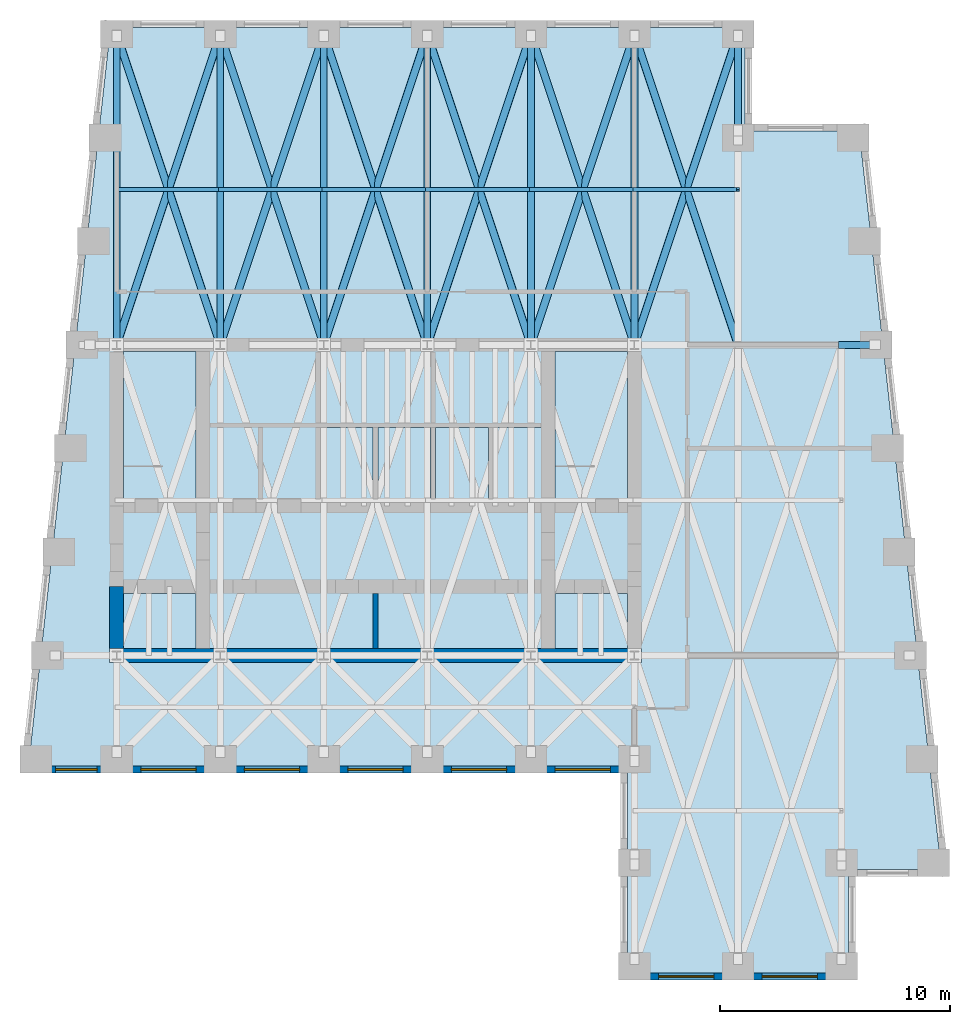
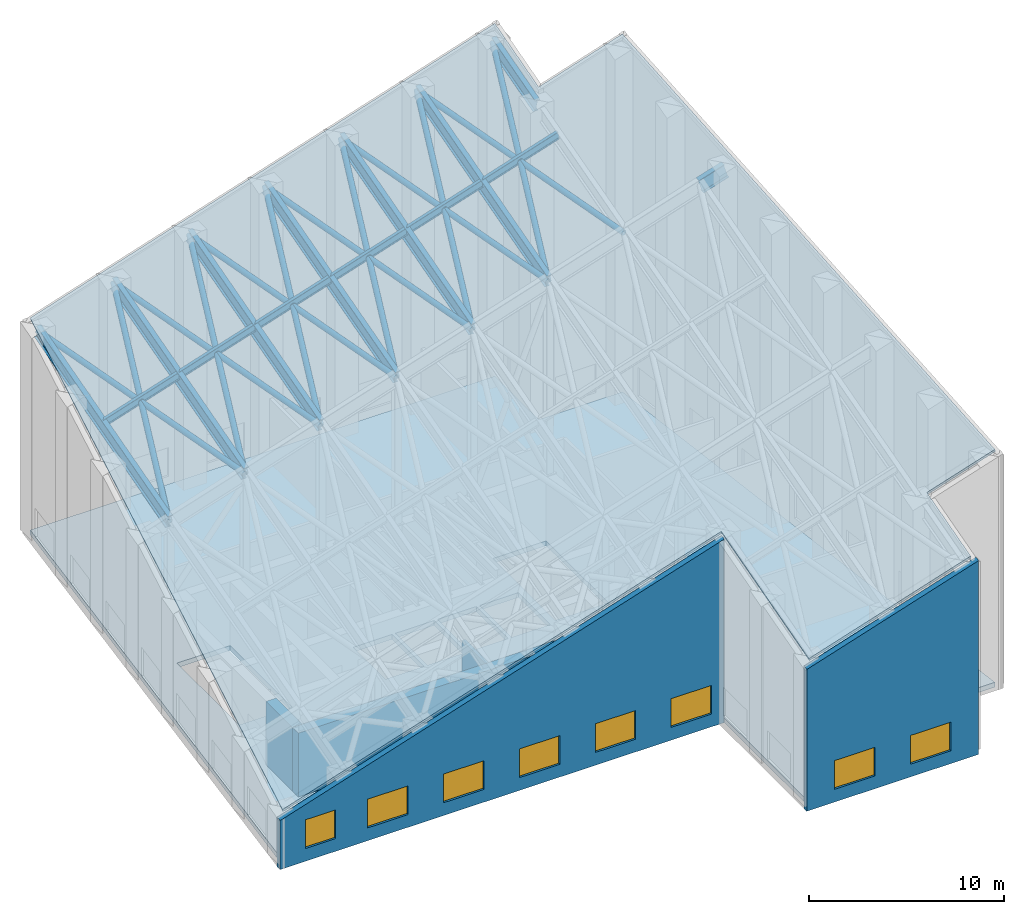
# One storey, part 3 of 7: 14 beams, 12 members, 8 windows, 5 walls, 2 slabs, 8 openings.
"""IFC4 building model written with IfcOpenShell, lengths in metres."""

from ifc_helpers import new_model, si_unit, direction, frame, frame_2d, origin, origin_2d, place, context, subcontext, project, spatial, polyline, rectangle, hollow_circle, i_section, outline, extrude, clip, halfspace, material, layer, layer_set, material_profile, profile_set, type_object, element, fill, save


model = new_model("IFC4")

# Units and contexts
model_context = context("Model", 3, precision=1e-05, world=origin(), true_north=direction((0.0, 1.0)))
body_context = subcontext(model_context, "Body", "Model", "MODEL_VIEW")
ifc_project = project(units=[si_unit("LENGTHUNIT", "METRE"), si_unit("AREAUNIT", "SQUARE_METRE"), si_unit("VOLUMEUNIT", "CUBIC_METRE"), si_unit("PLANEANGLEUNIT", "RADIAN"), si_unit("MASSUNIT", "GRAM", prefix="KILO")], contexts=[model_context])

# Site, building, storey
site_placement = place(None, origin())
site = spatial("IfcSite", under=ifc_project, at=site_placement, CompositionType="ELEMENT")
building_placement = place(site_placement, origin())
building = spatial("IfcBuilding", under=site, at=building_placement, Name="Kilele Tower Hotel", CompositionType="ELEMENT")
storey_placement = place(building_placement, frame((0.0, 0.0, 289.699951171875)))
storey = spatial("IfcBuildingStorey", under=building, at=storey_placement, Name="CROWN", CompositionType="ELEMENT", Elevation=289.699951171875)

# Beam
ifc_material_1 = material(Name="Steel S355", Category="steel")
ifc_material_profile_1 = material_profile(ifc_material_1, i_section(OverallWidth=0.3076171875, OverallDepth=0.926513671875, WebThickness=0.01953125, FlangeThickness=0.031982421875, FilletRadius=0.01904296875, at=origin_2d()))
ifc_profile_set_1 = profile_set([ifc_material_profile_1], Name="Steel S355")
beam_type_1 = type_object("IfcBeamType", Name="Crown girder UKB 914x305x289", PredefinedType="BEAM", material=ifc_profile_set_1)
beam_1_placement = place(storey_placement, frame((45.0, 27.0, 18.856201171875), z_axis=(0.95242774696, 0.0, 0.304764477624), x_axis=(0.0, 1.0, 0.0)))
element("IfcBeam", 1, at=beam_1_placement, inside=storey, type_object=beam_type_1, Name="Crown girder CG", PredefinedType="BEAM", context=body_context, shape_type="SweptSolid", body=[
    extrude(i_section(OverallWidth=0.3076171875, OverallDepth=0.926513671875, WebThickness=0.01953125, FlangeThickness=0.031982421875, FilletRadius=0.01904296875, at=origin_2d()), origin(), (0.0, 0.0, 1.0), 1.574951171875),
])

# Members
ifc_material_2 = material(Name="Steel S355", Category="steel")
ifc_material_profile_2 = material_profile(ifc_material_2, hollow_circle(Radius=0.161865234375, WallThickness=0.012451171875, at=origin_2d()))
ifc_profile_set_2 = profile_set([ifc_material_profile_2], Name="Steel S355")
member_type = type_object("IfcMemberType", Name="Crown roof brace CHS 323.9x12.5", PredefinedType="BRACE", material=ifc_profile_set_2)
member_1_placement = place(storey_placement, frame((13.5, 27.0, 8.82080078125), z_axis=(0.296882190689, 0.890646572066, 0.344397515262), x_axis=(-0.948683298051, 0.316227766017, 0.0)))
element("IfcMember", 2, at=member_1_placement, inside=storey, type_object=member_type, Name="Crown roof brace CRB", PredefinedType="BRACE", context=body_context, shape_type="SweptSolid", body=[
    extrude(hollow_circle(Radius=0.161865234375, WallThickness=0.012451171875, at=origin_2d()), origin(), (0.0, 0.0, 1.0), 15.157470703125),
])
member_2_placement = place(storey_placement, frame((13.5, 40.5, 12.600830078125), z_axis=(0.312037711644, -0.936113134931, -0.162248775412), x_axis=(0.948683298051, 0.316227766017, 0.0)))
element("IfcMember", 3, at=member_2_placement, inside=storey, type_object=member_type, Name="Crown roof brace CRB", PredefinedType="BRACE", context=body_context, shape_type="SweptSolid", body=[
    extrude(hollow_circle(Radius=0.161865234375, WallThickness=0.012451171875, at=origin_2d()), origin(), (0.0, 0.0, 1.0), 14.42138671875),
])
member_3_placement = place(storey_placement, frame((18.0, 27.0, 10.260986328125), z_axis=(0.296883837521, 0.890651512562, 0.344383318687), x_axis=(-0.948683298051, 0.316227766017, 0.0)))
element("IfcMember", 4, at=member_3_placement, inside=storey, type_object=member_type, Name="Crown roof brace CRB", PredefinedType="BRACE", context=body_context, shape_type="SweptSolid", body=[
    extrude(hollow_circle(Radius=0.161865234375, WallThickness=0.012451171875, at=origin_2d()), origin(), (0.0, 0.0, 1.0), 15.157470703125),
])
member_4_placement = place(storey_placement, frame((18.0, 40.5, 14.041015625), z_axis=(0.312036854519, -0.936110563557, -0.16226525882), x_axis=(0.948683298051, 0.316227766017, 0.0)))
element("IfcMember", 5, at=member_4_placement, inside=storey, type_object=member_type, Name="Crown roof brace CRB", PredefinedType="BRACE", context=body_context, shape_type="SweptSolid", body=[
    extrude(hollow_circle(Radius=0.161865234375, WallThickness=0.012451171875, at=origin_2d()), origin(), (0.0, 0.0, 1.0), 14.42138671875),
])
member_5_placement = place(storey_placement, frame((22.5, 27.0, 11.700927734375), z_axis=(0.296883837521, 0.890651512562, 0.344383318687), x_axis=(-0.948683298051, 0.316227766017, 0.0)))
element("IfcMember", 6, at=member_5_placement, inside=storey, type_object=member_type, Name="Crown roof brace CRB", PredefinedType="BRACE", context=body_context, shape_type="SweptSolid", body=[
    extrude(hollow_circle(Radius=0.161865234375, WallThickness=0.012451171875, at=origin_2d()), origin(), (0.0, 0.0, 1.0), 15.157470703125),
])
member_6_placement = place(storey_placement, frame((22.5, 40.5, 15.48095703125), z_axis=(0.312036854519, -0.936110563557, -0.16226525882), x_axis=(0.948683298051, 0.316227766017, 0.0)))
element("IfcMember", 7, at=member_6_placement, inside=storey, type_object=member_type, Name="Crown roof brace CRB", PredefinedType="BRACE", context=body_context, shape_type="SweptSolid", body=[
    extrude(hollow_circle(Radius=0.161865234375, WallThickness=0.012451171875, at=origin_2d()), origin(), (0.0, 0.0, 1.0), 14.42138671875),
])
member_7_placement = place(storey_placement, frame((27.0, 27.0, 13.140869140625), z_axis=(0.296883837521, 0.890651512562, 0.344383318687), x_axis=(-0.948683298051, 0.316227766017, 0.0)))
element("IfcMember", 8, at=member_7_placement, inside=storey, type_object=member_type, Name="Crown roof brace CRB", PredefinedType="BRACE", context=body_context, shape_type="SweptSolid", body=[
    extrude(hollow_circle(Radius=0.161865234375, WallThickness=0.012451171875, at=origin_2d()), origin(), (0.0, 0.0, 1.0), 15.157470703125),
])
member_8_placement = place(storey_placement, frame((27.0, 40.5, 16.9208984375), z_axis=(0.312036854519, -0.936110563557, -0.16226525882), x_axis=(0.948683298051, 0.316227766017, 0.0)))
element("IfcMember", 9, at=member_8_placement, inside=storey, type_object=member_type, Name="Crown roof brace CRB", PredefinedType="BRACE", context=body_context, shape_type="SweptSolid", body=[
    extrude(hollow_circle(Radius=0.161865234375, WallThickness=0.012451171875, at=origin_2d()), origin(), (0.0, 0.0, 1.0), 14.42138671875),
])
member_9_placement = place(storey_placement, frame((31.5, 27.0, 14.580810546875), z_axis=(0.296882190689, 0.890646572066, 0.344397515262), x_axis=(-0.948683298051, 0.316227766017, 0.0)))
element("IfcMember", 10, at=member_9_placement, inside=storey, type_object=member_type, Name="Crown roof brace CRB", PredefinedType="BRACE", context=body_context, shape_type="SweptSolid", body=[
    extrude(hollow_circle(Radius=0.161865234375, WallThickness=0.012451171875, at=origin_2d()), origin(), (0.0, 0.0, 1.0), 15.157470703125),
])
member_10_placement = place(storey_placement, frame((31.5, 40.5, 18.36083984375), z_axis=(0.312037711644, -0.936113134931, -0.162248775412), x_axis=(0.948683298051, 0.316227766017, 0.0)))
element("IfcMember", 11, at=member_10_placement, inside=storey, type_object=member_type, Name="Crown roof brace CRB", PredefinedType="BRACE", context=body_context, shape_type="SweptSolid", body=[
    extrude(hollow_circle(Radius=0.161865234375, WallThickness=0.012451171875, at=origin_2d()), origin(), (0.0, 0.0, 1.0), 14.42138671875),
])
member_11_placement = place(storey_placement, frame((36.0, 27.0, 16.02099609375), z_axis=(0.296883837521, 0.890651512562, 0.344383318687), x_axis=(-0.948683298051, 0.316227766017, 0.0)))
element("IfcMember", 12, at=member_11_placement, inside=storey, type_object=member_type, Name="Crown roof brace CRB", PredefinedType="BRACE", context=body_context, shape_type="SweptSolid", body=[
    extrude(hollow_circle(Radius=0.161865234375, WallThickness=0.012451171875, at=origin_2d()), origin(), (0.0, 0.0, 1.0), 15.157470703125),
])
member_12_placement = place(storey_placement, frame((36.0, 40.5, 19.801025390625), z_axis=(0.312036854519, -0.936110563557, -0.16226525882), x_axis=(0.948683298051, 0.316227766017, 0.0)))
element("IfcMember", 13, at=member_12_placement, inside=storey, type_object=member_type, Name="Crown roof brace CRB", PredefinedType="BRACE", context=body_context, shape_type="SweptSolid", body=[
    extrude(hollow_circle(Radius=0.161865234375, WallThickness=0.012451171875, at=origin_2d()), origin(), (0.0, 0.0, 1.0), 14.42138671875),
])

# Beams
ifc_material_3 = material(Name="Steel S355", Category="steel")
ifc_material_profile_3 = material_profile(ifc_material_3, i_section(OverallWidth=0.19140625, OverallDepth=0.4599609375, WebThickness=0.010009765625, FlangeThickness=0.01611328125, FilletRadius=0.01025390625, at=origin_2d()))
ifc_profile_set_3 = profile_set([ifc_material_profile_3], Name="Steel S355")
beam_type_2 = type_object("IfcBeamType", Name="Purlin UKB 457x191x82", PredefinedType="USERDEFINED", material=ifc_profile_set_3)
for number, where, z_axis, x_axis, name in (
    (14, (13.5, 33.75, 10.9111328125), (0.952412747261, 0.0, 0.304811349615), (0.0, 1.0, 0.0), "Purlin CPU"),
    (15, (18.0, 33.75, 12.351318359375), (0.95242774696, 0.0, 0.304764477624), (0.0, 1.0, 0.0), "Purlin CPU"),
    (16, (22.5, 33.75, 13.791259765625), (0.95242774696, 0.0, 0.304764477624), (0.0, 1.0, 0.0), "Purlin CPU"),
    (17, (27.0, 33.75, 15.231201171875), (0.95242774696, 0.0, 0.304764477624), (0.0, 1.0, 0.0), "Purlin CPU"),
    (18, (31.5, 33.75, 16.671142578125), (0.952412747261, 0.0, 0.304811349615), (0.0, 1.0, 0.0), "Purlin CPU"),
    (19, (36.0, 33.75, 18.111328125), (0.95242774696, 0.0, 0.304764477624), (0.0, 1.0, 0.0), "Purlin CPU"),
):
    element("IfcBeam", number, at=place(storey_placement, frame(where, z_axis=z_axis, x_axis=x_axis)), inside=storey, type_object=beam_type_2, Name=name, ObjectType="PURLIN", PredefinedType="USERDEFINED", context=body_context, shape_type="SweptSolid", body=[
        extrude(i_section(OverallWidth=0.19140625, OverallDepth=0.4599609375, WebThickness=0.010009765625, FlangeThickness=0.01611328125, FilletRadius=0.01025390625, at=origin_2d()), origin(), (0.0, 0.0, 1.0), 4.724853515625),
    ])
ifc_material_4 = material(Name="Steel S355", Category="steel")
ifc_material_profile_4 = material_profile(ifc_material_4, i_section(OverallWidth=0.293701171875, OverallDepth=0.850830078125, WebThickness=0.01611328125, FlangeThickness=0.02685546875, FilletRadius=0.017822265625, at=origin_2d()))
ifc_profile_set_4 = profile_set([ifc_material_profile_4], Name="Steel S355")
beam_type_3 = type_object("IfcBeamType", Name="Rafter UKB 838x292x226", PredefinedType="USERDEFINED", material=ifc_profile_set_4)
for number, where, z_axis, x_axis, name in (
    (20, (18.0, 27.0, 10.260986328125), (0.0, 0.962963477118, 0.269631863357), (-1.0, 0.0, 0.0), "Rafter CR1"),
    (21, (22.5, 27.0, 11.700927734375), (0.0, 0.962963477118, 0.269631863357), (-1.0, 0.0, 0.0), "Rafter CR1"),
    (22, (27.0, 27.0, 13.140869140625), (0.0, 0.962963477118, 0.269631863357), (-1.0, 0.0, 0.0), "Rafter CR1"),
    (23, (31.5, 27.0, 14.580810546875), (0.0, 0.962963477118, 0.269631863357), (-1.0, 0.0, 0.0), "Rafter CR1"),
    (24, (36.0, 27.0, 16.02099609375), (0.0, 0.962963477118, 0.269631863357), (-1.0, 0.0, 0.0), "Rafter CR1"),
):
    element("IfcBeam", number, at=place(storey_placement, frame(where, z_axis=z_axis, x_axis=x_axis)), inside=storey, type_object=beam_type_3, Name=name, ObjectType="RAFTER", PredefinedType="USERDEFINED", context=body_context, shape_type="SweptSolid", body=[
        extrude(i_section(OverallWidth=0.293701171875, OverallDepth=0.850830078125, WebThickness=0.01611328125, FlangeThickness=0.02685546875, FilletRadius=0.017822265625, at=origin_2d()), origin(), (0.0, 0.0, 1.0), 14.019287109375),
    ])
ifc_material_5 = material(Name="Steel S355", Category="steel")
ifc_material_profile_5 = material_profile(ifc_material_5, i_section(OverallWidth=0.293701171875, OverallDepth=0.850830078125, WebThickness=0.01611328125, FlangeThickness=0.02685546875, FilletRadius=0.017822265625, at=origin_2d()))
ifc_profile_set_5 = profile_set([ifc_material_profile_5], Name="Steel S355")
beam_type_4 = type_object("IfcBeamType", Name="Rafter UKB 838x292x226 edge", PredefinedType="USERDEFINED", material=ifc_profile_set_5)
beam_2_placement = place(storey_placement, frame((13.5, 27.0, 8.82080078125), z_axis=(0.0, 0.962963477118, 0.269631863357), x_axis=(-1.0, 0.0, 0.0)))
element("IfcBeam", 25, at=beam_2_placement, inside=storey, type_object=beam_type_4, Name="Rafter CR2", ObjectType="RAFTER", PredefinedType="USERDEFINED", context=body_context, shape_type="SweptSolid", body=[
    extrude(i_section(OverallWidth=0.293701171875, OverallDepth=0.850830078125, WebThickness=0.01611328125, FlangeThickness=0.02685546875, FilletRadius=0.017822265625, at=origin_2d()), origin(), (0.0, 0.0, 1.0), 14.019287109375),
])
ifc_material_6 = material(Name="Steel S355", Category="steel")
ifc_material_profile_6 = material_profile(ifc_material_6, i_section(OverallWidth=0.293701171875, OverallDepth=0.850830078125, WebThickness=0.01611328125, FlangeThickness=0.02685546875, FilletRadius=0.017822265625, at=origin_2d()))
ifc_profile_set_6 = profile_set([ifc_material_profile_6], Name="Steel S355")
beam_type_5 = type_object("IfcBeamType", Name="Rafter UKB 838x292x226 short span", PredefinedType="USERDEFINED", material=ifc_profile_set_6)
beam_3_placement = place(storey_placement, frame((40.5, 36.0, 19.98095703125), z_axis=(0.0, 0.962963477118, 0.269631863357), x_axis=(-1.0, 0.0, 0.0)))
element("IfcBeam", 26, at=beam_3_placement, inside=storey, type_object=beam_type_5, Name="Rafter CR4", ObjectType="RAFTER", PredefinedType="USERDEFINED", context=body_context, shape_type="SweptSolid", body=[
    extrude(i_section(OverallWidth=0.293701171875, OverallDepth=0.850830078125, WebThickness=0.01611328125, FlangeThickness=0.02685546875, FilletRadius=0.017822265625, at=origin_2d()), origin(), (0.0, 0.0, 1.0), 4.673095703125),
])

# Slabs
ifc_material_7 = material(Name="Concrete C60/75", Category="concrete")
ifc_layer_1 = layer(ifc_material_7, 0.300048828125)
ifc_layer_set_1 = layer_set([ifc_layer_1], Name="Concrete C60/75")
slab_type_1 = type_object("IfcSlabType", Name="Floor slab 300", PredefinedType="FLOOR", material=ifc_layer_set_1)
slab_1_placement = place(storey_placement, frame((0.0, 0.0, -0.300048828125)))
element("IfcSlab", 27, at=slab_1_placement, inside=storey, type_object=slab_type_1, Name="Floor slab CROWN", PredefinedType="FLOOR", context=body_context, shape_type="SweptSolid", body=[
    extrude(outline(polyline([(40.800048828125, 40.800048828125), (40.800048828125, 36.300048828125), (45.7685546875, 36.300048828125), (49.335205078125, 4.199951171875), (45.300048828125, 4.199951171875), (45.300048828125, -0.300048828125), (35.699951171875, -0.300048828125), (35.699951171875, 8.699951171875), (9.664794921875, 8.699951171875), (13.2314453125, 40.800048828125), (40.800048828125, 40.800048828125)]), holes=[polyline([(16.949951171875, 16.199951171875), (13.800048828125, 16.199951171875), (13.800048828125, 13.800048828125), (16.949951171875, 13.800048828125), (16.949951171875, 16.199951171875)]), polyline([(35.699951171875, 16.199951171875), (32.550048828125, 16.199951171875), (32.550048828125, 13.800048828125), (35.699951171875, 13.800048828125), (35.699951171875, 16.199951171875)]), polyline([(24.64990234375, 23.39990234375), (22.35009765625, 23.39990234375), (22.35009765625, 20.10009765625), (24.64990234375, 20.10009765625), (24.64990234375, 23.39990234375)]), polyline([(27.14990234375, 23.39990234375), (24.85009765625, 23.39990234375), (24.85009765625, 20.10009765625), (27.14990234375, 20.10009765625), (27.14990234375, 23.39990234375)]), polyline([(29.64990234375, 23.39990234375), (27.35009765625, 23.39990234375), (27.35009765625, 20.10009765625), (29.64990234375, 20.10009765625), (29.64990234375, 23.39990234375)]), polyline([(32.14990234375, 23.39990234375), (29.85009765625, 23.39990234375), (29.85009765625, 20.10009765625), (32.14990234375, 20.10009765625), (32.14990234375, 23.39990234375)]), polyline([(16.949951171875, 26.699951171875), (13.800048828125, 26.699951171875), (13.800048828125, 20.300048828125), (16.949951171875, 20.300048828125), (16.949951171875, 26.699951171875)]), polyline([(35.699951171875, 26.699951171875), (32.550048828125, 26.699951171875), (32.550048828125, 20.300048828125), (35.699951171875, 20.300048828125), (35.699951171875, 26.699951171875)])]), origin(), (0.0, 0.0, 1.0), 0.300048828125),
])
ifc_material_8 = material(Name="Concrete C60/75", Category="concrete")
ifc_layer_2 = layer(ifc_material_8, 0.199951171875)
ifc_layer_set_2 = layer_set([ifc_layer_2], Name="Concrete C60/75")
slab_type_2 = type_object("IfcSlabType", Name="Sloped roof slab 200", PredefinedType="ROOF", material=ifc_layer_set_2)
slab_2_placement = place(storey_placement, frame((9.664794921875, 8.699951171875, 3.1767578125), z_axis=(-0.294484166139, -0.257672237152, 0.920263057008), x_axis=(0.105370749048, 0.948338190622, 0.299251869588)))
element("IfcSlab", 28, at=slab_2_placement, inside=storey, type_object=slab_type_2, Name="Crown roof", PredefinedType="ROOF", context=body_context, shape_type="SweptSolid", body=[
    extrude(outline(polyline([(0.0, 0.0), (33.848876953125, 0.0), (39.3935546875, -28.40966796875), (34.749267578125, -28.9248046875), (35.74853515625, -34.044921875), (3.33447265625, -41.39599609375), (2.522705078125, -37.237548828125), (-2.121826171875, -37.7529296875), (-4.052734375, -27.85986328125), (5.236572265625, -26.829345703125), (0.0, 0.0)])), origin(), (0.0, 0.0, -1.0), 0.199951171875),
])

# Walls
ifc_material_9 = material(Name="Concrete C60/75", Category="concrete")
ifc_layer_3 = layer(ifc_material_9, 0.60009765625)
ifc_layer_set_3 = layer_set([ifc_layer_3], Name="Concrete C60/75")
wall_type_1 = type_object("IfcWallType", Name="Core wall 600 C60/75", PredefinedType="SHEAR", material=ifc_layer_set_3)
wall_1_placement = place(storey_placement, frame((13.199951171875, 13.5, 0.0), z_axis=(0.0, 0.0, 1.0), x_axis=(1.0, 0.0, 0.0)))
element("IfcWall", 29, at=wall_1_placement, inside=storey, type_object=wall_type_1, Name="Core wall S CROWN", PredefinedType="SHEAR", context=body_context, shape_type="SweptSolid", body=[
    extrude(rectangle(XDim=23.10009765625, YDim=0.60009765625, at=frame_2d((11.550048828125, 0.0))), origin(), (0.0, 0.0, 1.0), 4.0),
])
wall_2_placement = place(storey_placement, frame((13.5, 16.5, 0.0), z_axis=(0.0, 0.0, 1.0), x_axis=(0.0, -1.0, 0.0)))
element("IfcWall", 30, at=wall_2_placement, inside=storey, type_object=wall_type_1, Name="Core wall W3 CROWN", PredefinedType="SHEAR", context=body_context, shape_type="SweptSolid", body=[
    extrude(rectangle(XDim=2.699951171875, YDim=0.60009765625, at=frame_2d((1.35009765625, 0.0))), origin(), (0.0, 0.0, 1.0), 4.0),
])

# Wall, openings, windows
ifc_material_10 = material(Name="Concrete C40/50 precast", Category="concrete")
ifc_layer_4 = layer(ifc_material_10, 0.260009765625, Name="Precast backing", Category="LoadBearing")
ifc_material_11 = material(Name="Reconstituted stone finish", Category="masonry")
ifc_layer_5 = layer(ifc_material_11, 0.0400390625, Name="Face mix", Category="Finish")
ifc_layer_set_4 = layer_set([ifc_layer_4, ifc_layer_5], Name="Precast concrete C40/50, reconstituted stone finish")
wall_type_2 = type_object("IfcWallType", Name="Precast stone facade wall 300", PredefinedType="STANDARD", material=ifc_layer_set_4)
wall_3_placement = place(storey_placement, frame((9.34716796875, 8.550048828125, -0.300048828125), z_axis=(0.0, 0.0, 1.0), x_axis=(1.0, 0.0, 0.0)))
wall_3 = element("IfcWall", 31, at=wall_3_placement, inside=storey, type_object=wall_type_2, Name="Facade wall CROWN edge 1", PredefinedType="STANDARD", context=body_context, shape_type="Clipping", body=[
    clip(extrude(outline(polyline([(0.0, 0.0), (26.352783203125, 0.0), (26.352783203125, 11.548828125), (0.0, 3.115966796875), (0.0, 0.0)])), frame((0.0, 0.14990234375, 0.0), z_axis=(0.0, -1.0, 0.0), x_axis=(1.0, 0.0, 0.0)), (0.0, 0.0, 1.0), 0.300048828125), halfspace(frame((0.0, 0.0, 3.115966796875), z_axis=(-0.294483896091, -0.25767390908, 0.920262675285), x_axis=(0.952424195267, 0.0, 0.304775576894)), False)),
])
opening_1_placement = place(wall_3_placement, frame((1.502685546875, 0.0, 0.800048828125)))
opening_1 = element("IfcOpeningElement", 32, at=opening_1_placement, cuts=wall_3, Name="Opening LV2", PredefinedType="OPENING", context=body_context, shape_type="SweptSolid", body=[
    extrude(rectangle(XDim=1.800048828125, YDim=1.800048828125, at=frame_2d((0.89990234375, 0.89990234375))), frame((0.0, 0.159912109375, 0.0), z_axis=(0.0, -1.0, 0.0), x_axis=(1.0, 0.0, 0.0)), (0.0, 0.0, 1.0), 0.320068359375),
])
opening_2_placement = place(wall_3_placement, frame((5.202880859375, 0.0, 0.800048828125)))
opening_2 = element("IfcOpeningElement", 33, at=opening_2_placement, cuts=wall_3, Name="Opening LV2", PredefinedType="OPENING", context=body_context, shape_type="SweptSolid", body=[
    extrude(rectangle(XDim=2.39990234375, YDim=1.800048828125, at=frame_2d((1.199951171875, 0.89990234375))), frame((0.0, 0.159912109375, 0.0), z_axis=(0.0, -1.0, 0.0), x_axis=(1.0, 0.0, 0.0)), (0.0, 0.0, 1.0), 0.320068359375),
])
opening_3_placement = place(wall_3_placement, frame((9.702880859375, 0.0, 0.800048828125)))
opening_3 = element("IfcOpeningElement", 34, at=opening_3_placement, cuts=wall_3, Name="Opening LV2", PredefinedType="OPENING", context=body_context, shape_type="SweptSolid", body=[
    extrude(rectangle(XDim=2.39990234375, YDim=1.800048828125, at=frame_2d((1.199951171875, 0.89990234375))), frame((0.0, 0.159912109375, 0.0), z_axis=(0.0, -1.0, 0.0), x_axis=(1.0, 0.0, 0.0)), (0.0, 0.0, 1.0), 0.320068359375),
])
opening_4_placement = place(wall_3_placement, frame((14.202880859375, 0.0, 0.800048828125)))
opening_4 = element("IfcOpeningElement", 35, at=opening_4_placement, cuts=wall_3, Name="Opening LV2", PredefinedType="OPENING", context=body_context, shape_type="SweptSolid", body=[
    extrude(rectangle(XDim=2.39990234375, YDim=1.800048828125, at=frame_2d((1.199951171875, 0.89990234375))), frame((0.0, 0.159912109375, 0.0), z_axis=(0.0, -1.0, 0.0), x_axis=(1.0, 0.0, 0.0)), (0.0, 0.0, 1.0), 0.320068359375),
])
opening_5_placement = place(wall_3_placement, frame((18.702880859375, 0.0, 0.800048828125)))
opening_5 = element("IfcOpeningElement", 36, at=opening_5_placement, cuts=wall_3, Name="Opening LV2", PredefinedType="OPENING", context=body_context, shape_type="SweptSolid", body=[
    extrude(rectangle(XDim=2.39990234375, YDim=1.800048828125, at=frame_2d((1.199951171875, 0.89990234375))), frame((0.0, 0.159912109375, 0.0), z_axis=(0.0, -1.0, 0.0), x_axis=(1.0, 0.0, 0.0)), (0.0, 0.0, 1.0), 0.320068359375),
])
opening_6_placement = place(wall_3_placement, frame((23.202880859375, 0.0, 0.800048828125)))
opening_6 = element("IfcOpeningElement", 37, at=opening_6_placement, cuts=wall_3, Name="Opening LV2", PredefinedType="OPENING", context=body_context, shape_type="SweptSolid", body=[
    extrude(rectangle(XDim=2.39990234375, YDim=1.800048828125, at=frame_2d((1.199951171875, 0.89990234375))), frame((0.0, 0.159912109375, 0.0), z_axis=(0.0, -1.0, 0.0), x_axis=(1.0, 0.0, 0.0)), (0.0, 0.0, 1.0), 0.320068359375),
])
ifc_material_12 = material(Name="Aluminium weather louvre with insect mesh", Category="aluminium")
window_type_1 = type_object("IfcWindowType", Name="Crown plant louvre 1800 x 1800", PartitioningType="SINGLE_PANEL", PredefinedType="USERDEFINED", material=ifc_material_12)
window_1_placement = place(opening_1_placement, origin())
window_1 = element("IfcWindow", 38, at=window_1_placement, inside=storey, type_object=window_type_1, Name="Louvre CROWN", ObjectType="LOUVRE", OverallHeight=1.800048828125, OverallWidth=1.800048828125, PartitioningType="SINGLE_PANEL", PredefinedType="USERDEFINED", context=body_context, shape_type="SweptSolid", body=[
    extrude(rectangle(XDim=1.800048828125, YDim=1.800048828125, at=frame_2d((0.89990234375, 0.89990234375))), frame((0.0, 0.030029296875, 0.0), z_axis=(0.0, -1.0, 0.0), x_axis=(1.0, 0.0, 0.0)), (0.0, 0.0, 1.0), 0.06005859375),
])
fill(opening_1, window_1)
ifc_material_13 = material(Name="Aluminium weather louvre with insect mesh", Category="aluminium")
window_type_2 = type_object("IfcWindowType", Name="Crown plant louvre 2400 x 1800", PartitioningType="SINGLE_PANEL", PredefinedType="USERDEFINED", material=ifc_material_13)
window_2_placement = place(opening_2_placement, origin())
window_2 = element("IfcWindow", 39, at=window_2_placement, inside=storey, type_object=window_type_2, Name="Louvre CROWN", ObjectType="LOUVRE", OverallHeight=1.800048828125, OverallWidth=2.39990234375, PartitioningType="SINGLE_PANEL", PredefinedType="USERDEFINED", context=body_context, shape_type="SweptSolid", body=[
    extrude(rectangle(XDim=2.39990234375, YDim=1.800048828125, at=frame_2d((1.199951171875, 0.89990234375))), frame((0.0, 0.030029296875, 0.0), z_axis=(0.0, -1.0, 0.0), x_axis=(1.0, 0.0, 0.0)), (0.0, 0.0, 1.0), 0.06005859375),
])
fill(opening_2, window_2)
window_3_placement = place(opening_3_placement, origin())
window_3 = element("IfcWindow", 40, at=window_3_placement, inside=storey, type_object=window_type_2, Name="Louvre CROWN", ObjectType="LOUVRE", OverallHeight=1.800048828125, OverallWidth=2.39990234375, PartitioningType="SINGLE_PANEL", PredefinedType="USERDEFINED", context=body_context, shape_type="SweptSolid", body=[
    extrude(rectangle(XDim=2.39990234375, YDim=1.800048828125, at=frame_2d((1.199951171875, 0.89990234375))), frame((0.0, 0.030029296875, 0.0), z_axis=(0.0, -1.0, 0.0), x_axis=(1.0, 0.0, 0.0)), (0.0, 0.0, 1.0), 0.06005859375),
])
fill(opening_3, window_3)
window_4_placement = place(opening_4_placement, origin())
window_4 = element("IfcWindow", 41, at=window_4_placement, inside=storey, type_object=window_type_2, Name="Louvre CROWN", ObjectType="LOUVRE", OverallHeight=1.800048828125, OverallWidth=2.39990234375, PartitioningType="SINGLE_PANEL", PredefinedType="USERDEFINED", context=body_context, shape_type="SweptSolid", body=[
    extrude(rectangle(XDim=2.39990234375, YDim=1.800048828125, at=frame_2d((1.199951171875, 0.89990234375))), frame((0.0, 0.030029296875, 0.0), z_axis=(0.0, -1.0, 0.0), x_axis=(1.0, 0.0, 0.0)), (0.0, 0.0, 1.0), 0.06005859375),
])
fill(opening_4, window_4)
window_5_placement = place(opening_5_placement, origin())
window_5 = element("IfcWindow", 42, at=window_5_placement, inside=storey, type_object=window_type_2, Name="Louvre CROWN", ObjectType="LOUVRE", OverallHeight=1.800048828125, OverallWidth=2.39990234375, PartitioningType="SINGLE_PANEL", PredefinedType="USERDEFINED", context=body_context, shape_type="SweptSolid", body=[
    extrude(rectangle(XDim=2.39990234375, YDim=1.800048828125, at=frame_2d((1.199951171875, 0.89990234375))), frame((0.0, 0.030029296875, 0.0), z_axis=(0.0, -1.0, 0.0), x_axis=(1.0, 0.0, 0.0)), (0.0, 0.0, 1.0), 0.06005859375),
])
fill(opening_5, window_5)
window_6_placement = place(opening_6_placement, origin())
window_6 = element("IfcWindow", 43, at=window_6_placement, inside=storey, type_object=window_type_2, Name="Louvre CROWN", ObjectType="LOUVRE", OverallHeight=1.800048828125, OverallWidth=2.39990234375, PartitioningType="SINGLE_PANEL", PredefinedType="USERDEFINED", context=body_context, shape_type="SweptSolid", body=[
    extrude(rectangle(XDim=2.39990234375, YDim=1.800048828125, at=frame_2d((1.199951171875, 0.89990234375))), frame((0.0, 0.030029296875, 0.0), z_axis=(0.0, -1.0, 0.0), x_axis=(1.0, 0.0, 0.0)), (0.0, 0.0, 1.0), 0.06005859375),
])
fill(opening_6, window_6)

wall_4_placement = place(storey_placement, frame((35.39990234375, -0.449951171875, -0.300048828125), z_axis=(0.0, 0.0, 1.0), x_axis=(1.0, 0.0, 0.0)))
wall_4 = element("IfcWall", 44, at=wall_4_placement, inside=storey, type_object=wall_type_2, Name="Facade wall CROWN edge 3", PredefinedType="STANDARD", context=body_context, shape_type="Clipping", body=[
    clip(extrude(outline(polyline([(0.0, 0.0), (10.2001953125, 0.0), (10.199951171875, 12.19677734375), (0.0, 8.932861328125), (0.0, 0.0)])), frame((0.0, 0.14990234375, 0.0), z_axis=(0.0, -1.0, 0.0), x_axis=(1.0, 0.0, 0.0)), (0.0, 0.0, 1.0), 0.300048828125), halfspace(frame((0.0, 0.0, 8.932861328125), z_axis=(-0.294483896091, -0.25767390908, 0.920262675285), x_axis=(0.952424195267, 0.0, 0.304775576894)), False)),
])
opening_7_placement = place(wall_4_placement, frame((1.64990234375, 0.0, 0.800048828125)))
opening_7 = element("IfcOpeningElement", 45, at=opening_7_placement, cuts=wall_4, Name="Opening LV2", PredefinedType="OPENING", context=body_context, shape_type="SweptSolid", body=[
    extrude(rectangle(XDim=2.39990234375, YDim=1.800048828125, at=frame_2d((1.199951171875, 0.89990234375))), frame((0.0, 0.159912109375, 0.0), z_axis=(0.0, -1.0, 0.0), x_axis=(1.0, 0.0, 0.0)), (0.0, 0.0, 1.0), 0.320068359375),
])
opening_8_placement = place(wall_4_placement, frame((6.14990234375, 0.0, 0.800048828125)))
opening_8 = element("IfcOpeningElement", 46, at=opening_8_placement, cuts=wall_4, Name="Opening LV2", PredefinedType="OPENING", context=body_context, shape_type="SweptSolid", body=[
    extrude(rectangle(XDim=2.39990234375, YDim=1.800048828125, at=frame_2d((1.199951171875, 0.89990234375))), frame((0.0, 0.159912109375, 0.0), z_axis=(0.0, -1.0, 0.0), x_axis=(1.0, 0.0, 0.0)), (0.0, 0.0, 1.0), 0.320068359375),
])
window_7_placement = place(opening_7_placement, origin())
window_7 = element("IfcWindow", 47, at=window_7_placement, inside=storey, type_object=window_type_2, Name="Louvre CROWN", ObjectType="LOUVRE", OverallHeight=1.800048828125, OverallWidth=2.39990234375, PartitioningType="SINGLE_PANEL", PredefinedType="USERDEFINED", context=body_context, shape_type="SweptSolid", body=[
    extrude(rectangle(XDim=2.39990234375, YDim=1.800048828125, at=frame_2d((1.199951171875, 0.89990234375))), frame((0.0, 0.030029296875, 0.0), z_axis=(0.0, -1.0, 0.0), x_axis=(1.0, 0.0, 0.0)), (0.0, 0.0, 1.0), 0.06005859375),
])
fill(opening_7, window_7)
window_8_placement = place(opening_8_placement, origin())
window_8 = element("IfcWindow", 48, at=window_8_placement, inside=storey, type_object=window_type_2, Name="Louvre CROWN", ObjectType="LOUVRE", OverallHeight=1.800048828125, OverallWidth=2.39990234375, PartitioningType="SINGLE_PANEL", PredefinedType="USERDEFINED", context=body_context, shape_type="SweptSolid", body=[
    extrude(rectangle(XDim=2.39990234375, YDim=1.800048828125, at=frame_2d((1.199951171875, 0.89990234375))), frame((0.0, 0.030029296875, 0.0), z_axis=(0.0, -1.0, 0.0), x_axis=(1.0, 0.0, 0.0)), (0.0, 0.0, 1.0), 0.06005859375),
])
fill(opening_8, window_8)

# Wall
ifc_material_14 = material(Name="Blockwork, fire-rated", Category="masonry")
ifc_layer_6 = layer(ifc_material_14, 0.199951171875)
ifc_layer_set_5 = layer_set([ifc_layer_6], Name="Blockwork, fire-rated")
wall_type_3 = type_object("IfcWallType", Name="Shaft wall 200", PredefinedType="PARTITIONING", material=ifc_layer_set_5)
wall_5_placement = place(storey_placement, frame((24.75, 13.800048828125, 0.0), z_axis=(0.0, 0.0, 1.0), x_axis=(0.0, 1.0, 0.0)))
element("IfcWall", 49, at=wall_5_placement, inside=storey, type_object=wall_type_3, Name="Shaft wall 200 CROWN", PredefinedType="PARTITIONING", context=body_context, shape_type="SweptSolid", body=[
    extrude(rectangle(XDim=2.39990234375, YDim=0.199951171875, at=frame_2d((1.199951171875, 0.0))), origin(), (0.0, 0.0, 1.0), 4.0),
])

save(model, "model.ifc")
